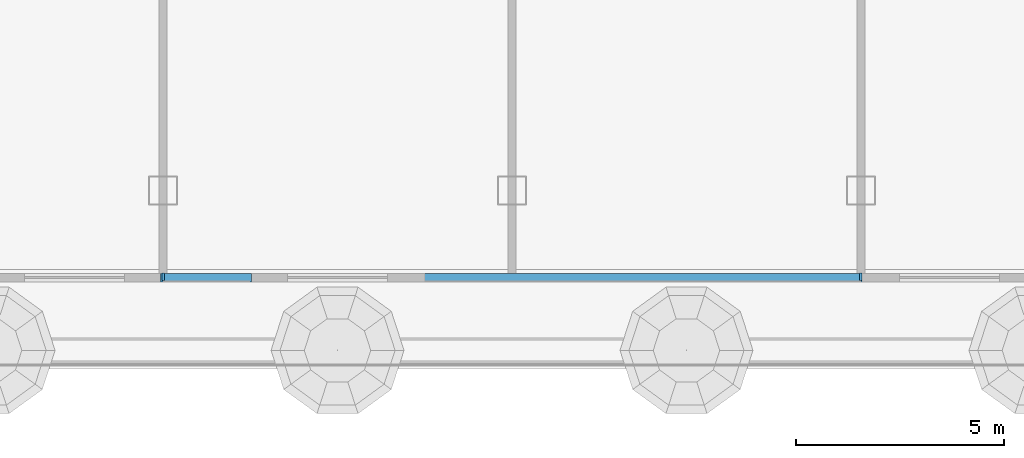
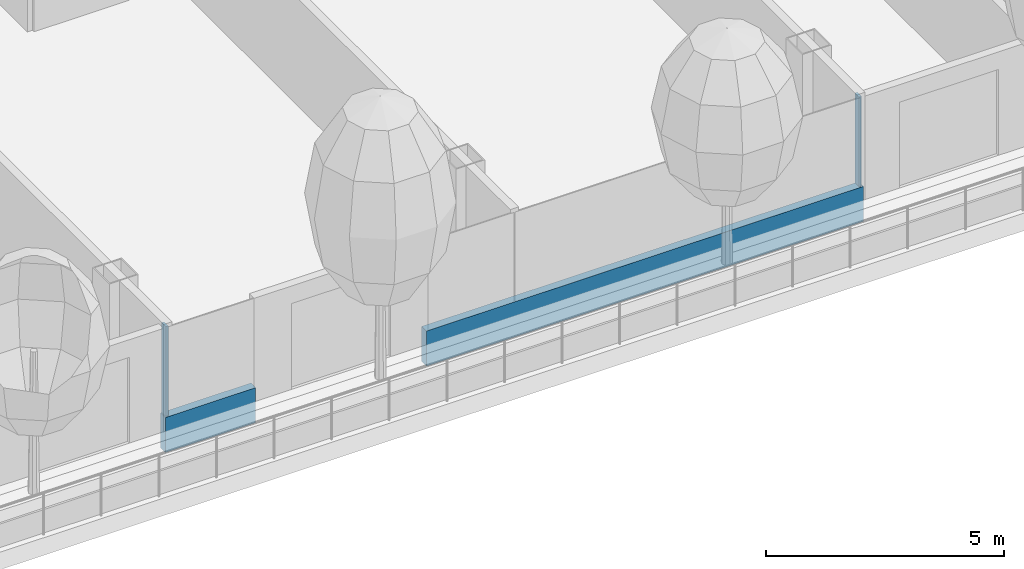
# One storey, part 3 of 32: 4 members, 1 element without a shape of its own.
"""IFC4 building model written with IfcOpenShell, lengths in metres."""

from ifc_helpers import new_model, si_unit, direction, frame, origin, origin_2d, place, context, subcontext, project, spatial, rectangle, extrude, material, layer, layer_set, material_profile, profile_set, type_object, element, aggregate, save


model = new_model("IFC4")

# Units and contexts
model_context = context("Model", 3, precision=1e-05, world=origin(), true_north=direction((0.0, 1.0)))
body_context = subcontext(model_context, "Body", "Model", "MODEL_VIEW")
ifc_project = project(units=[si_unit("LENGTHUNIT", "METRE"), si_unit("AREAUNIT", "SQUARE_METRE"), si_unit("VOLUMEUNIT", "CUBIC_METRE"), si_unit("PLANEANGLEUNIT", "RADIAN"), si_unit("MASSUNIT", "GRAM", prefix="KILO")], contexts=[model_context])

# Site, building, storey
site_placement = place(None, origin())
site = spatial("IfcSite", under=ifc_project, at=site_placement, CompositionType="ELEMENT")
building_placement = place(site_placement, origin())
building = spatial("IfcBuilding", under=site, at=building_placement, Name="Hakoniwa Tower and Hamabe Station Hall", CompositionType="ELEMENT")
storey_placement = place(building_placement, frame((0.0, 0.0, 150.199951171875)))
storey = spatial("IfcBuildingStorey", under=building, at=storey_placement, Name="L42", CompositionType="ELEMENT", Elevation=150.199951171875)

# Curtain wall, members
ifc_material_1 = material(Name="Dark low-e laminated glass", Category="glass")
ifc_layer = layer(ifc_material_1, 0.199951171875)
ifc_layer_set = layer_set([ifc_layer], Name="CW-1 UNITISED GUEST")
curtain_wall_type = type_object("IfcCurtainWallType", Name="CW-1 UNITISED GUEST", PredefinedType="NOTDEFINED", material=ifc_layer_set)
curtain_wall_placement = place(storey_placement, origin())
curtain_wall = element("IfcCurtainWall", 1, at=curtain_wall_placement, inside=storey, type_object=curtain_wall_type, Name="CW-1 curtain wall", PredefinedType="NOTDEFINED")
ifc_material_2 = material(Name="Aluminium 6063-T5 black anodised", Category="aluminium")
ifc_material_profile_1 = material_profile(ifc_material_2, rectangle(XDim=0.199951171875, YDim=0.89990234375, at=origin_2d()), Name="CW SLAB-EDGE BAND 900X200")
ifc_profile_set_1 = profile_set([ifc_material_profile_1], Name="Aluminium 6063-T5 black anodised")
member_type_1 = type_object("IfcMemberType", Name="CW SLAB-EDGE BAND 900X200", PredefinedType="USERDEFINED", material=ifc_profile_set_1)
member_1_placement = place(storey_placement, frame((-8.4599609375, -19.199951171875, -0.099853515625), z_axis=(1.0, 0.0, 0.0), x_axis=(0.0, 1.0, 0.0)))
member_1 = element("IfcMember", 2, at=member_1_placement, type_object=member_type_1, Name="CW-1 transom", ObjectType="TRANSOM", PredefinedType="USERDEFINED", context=body_context, shape_type="SweptSolid", body=[
    extrude(rectangle(XDim=0.199951171875, YDim=0.89990234375, at=origin_2d()), origin(), (0.0, 0.0, 1.0), 2.18994140625),
])
member_2_placement = place(storey_placement, frame((-2.1298828125, -19.199951171875, -0.099853515625), z_axis=(1.0, 0.0, 0.0), x_axis=(0.0, 1.0, 0.0)))
member_2 = element("IfcMember", 3, at=member_2_placement, type_object=member_type_1, Name="CW-1 transom", ObjectType="TRANSOM", PredefinedType="USERDEFINED", context=body_context, shape_type="SweptSolid", body=[
    extrude(rectangle(XDim=0.199951171875, YDim=0.89990234375, at=origin_2d()), origin(), (0.0, 0.0, 1.0), 10.58984375),
])
ifc_material_3 = material(Name="Aluminium 6063-T5 black anodised", Category="aluminium")
ifc_material_profile_2 = material_profile(ifc_material_3, rectangle(XDim=0.06005859375, YDim=0.179931640625, at=origin_2d()), Name="CW-1 MULLION 60X180")
ifc_profile_set_2 = profile_set([ifc_material_profile_2], Name="Aluminium 6063-T5 black anodised")
member_type_2 = type_object("IfcMemberType", Name="CW-1 MULLION 60X180", PredefinedType="MULLION", material=ifc_profile_set_2)
member_3_placement = place(storey_placement, frame((-8.39990234375, -19.181884765625, 0.35009765625), z_axis=(0.0, 0.0, 1.0), x_axis=(1.0, 0.0, 0.0)))
member_3 = element("IfcMember", 4, at=member_3_placement, type_object=member_type_2, Name="CW-1 mullion", PredefinedType="MULLION", context=body_context, shape_type="SweptSolid", body=[
    extrude(rectangle(XDim=0.06005859375, YDim=0.179931640625, at=origin_2d()), origin(), (0.0, 0.0, 1.0), 2.300048828125),
])
member_4_placement = place(storey_placement, frame((8.39990234375, -19.181884765625, 0.35009765625), z_axis=(0.0, 0.0, 1.0), x_axis=(1.0, 0.0, 0.0)))
member_4 = element("IfcMember", 5, at=member_4_placement, type_object=member_type_2, Name="CW-1 mullion", PredefinedType="MULLION", context=body_context, shape_type="SweptSolid", body=[
    extrude(rectangle(XDim=0.06005859375, YDim=0.179931640625, at=origin_2d()), origin(), (0.0, 0.0, 1.0), 2.300048828125),
])
aggregate(curtain_wall, [member_3, member_4, member_1, member_2])

save(model, "model.ifc")
